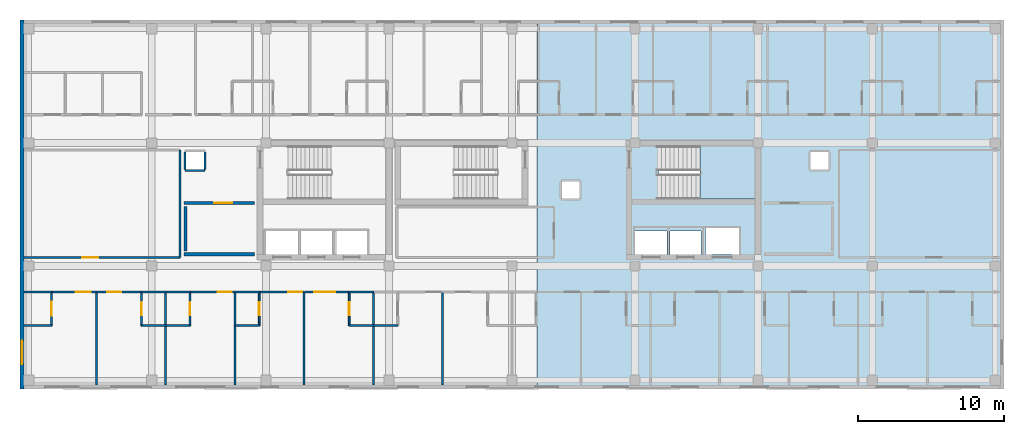
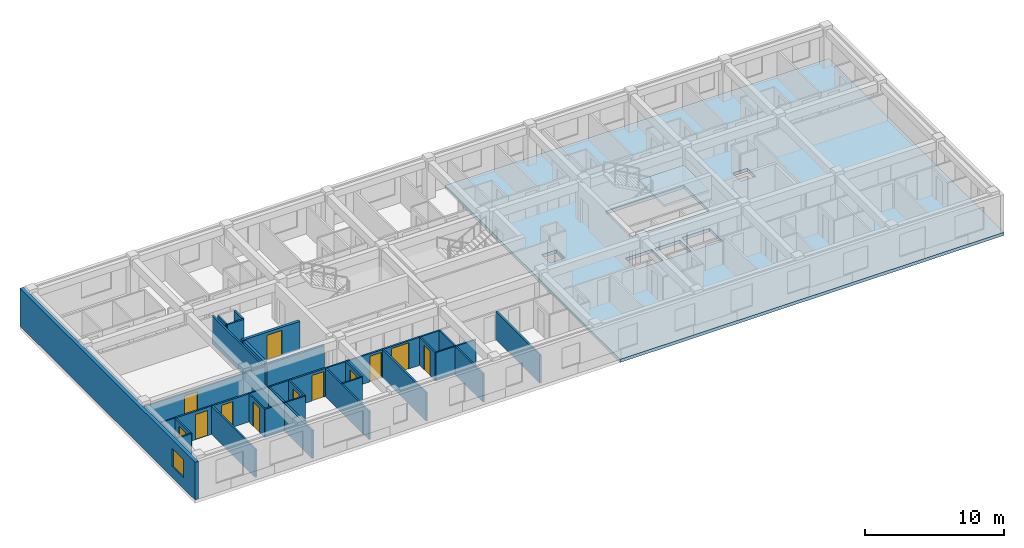
# One storey, part 2 of 11: 36 walls, 12 doors, 2 slabs, 1 window, 13 openings, 1 element without a shape of its own.
"""IFC4 building model written with IfcOpenShell, lengths in metres."""

from ifc_helpers import new_model, si_unit, direction, frame, frame_2d, origin, place, context, subcontext, project, spatial, polyline, rectangle, outline, extrude, material, layer, layer_set, type_object, element, fill, aggregate, save


model = new_model("IFC4")

# Units and contexts
model_context = context("Model", 3, precision=1e-05, world=origin(), true_north=direction((0.0, 1.0)))
body_context = subcontext(model_context, "Body", "Model", "MODEL_VIEW")
ifc_project = project(units=[si_unit("LENGTHUNIT", "METRE"), si_unit("AREAUNIT", "SQUARE_METRE"), si_unit("VOLUMEUNIT", "CUBIC_METRE"), si_unit("PLANEANGLEUNIT", "RADIAN"), si_unit("MASSUNIT", "GRAM", prefix="KILO")], contexts=[model_context])

# Site, building, storey
site_placement = place(None, origin())
site = spatial("IfcSite", under=ifc_project, at=site_placement, CompositionType="ELEMENT")
building_placement = place(site_placement, origin())
building = spatial("IfcBuilding", under=site, at=building_placement, Name="Zayran Congress Hotel", CompositionType="ELEMENT")
storey_placement = place(building_placement, frame((0.0, 0.0, 26.39990234375)))
storey = spatial("IfcBuildingStorey", under=building, at=storey_placement, Name="L06", CompositionType="ELEMENT", Elevation=26.39990234375)

# Slab
ifc_material_1 = material(Name="Concrete C32/40", Category="concrete")
ifc_layer_1 = layer(ifc_material_1, 0.280029296875)
ifc_layer_set_1 = layer_set([ifc_layer_1], Name="Concrete C32/40")
slab_type_1 = type_object("IfcSlabType", Name="SL-FL-280", PredefinedType="FLOOR", material=ifc_layer_set_1)
slab_1_placement = place(storey_placement, frame((0.0, 0.0, -0.27978515625)))
element("IfcSlab", 1, at=slab_1_placement, inside=storey, type_object=slab_type_1, Name="SLB-V5-L06-044", PredefinedType="FLOOR", context=body_context, shape_type="SweptSolid", body=[
    extrude(outline(polyline([(43.699951171875, 8.800048828125), (75.60009765625, 8.800048828125), (75.60009765625, 34.0), (43.699951171875, 34.0), (43.699951171875, 8.800048828125)]), holes=[polyline([(52.0400390625, 21.760009765625), (58.60009765625, 21.760009765625), (58.60009765625, 25.39990234375), (52.0400390625, 25.39990234375), (52.0400390625, 21.760009765625)]), polyline([(50.39990234375, 18.0), (52.60009765625, 18.0), (52.60009765625, 19.60009765625), (50.39990234375, 19.60009765625), (50.39990234375, 18.0)]), polyline([(52.800048828125, 18.0), (54.89990234375, 18.0), (54.89990234375, 19.60009765625), (52.800048828125, 19.60009765625), (52.800048828125, 18.0)]), polyline([(55.199951171875, 18.0), (57.5, 18.0), (57.5, 19.800048828125), (55.199951171875, 19.800048828125), (55.199951171875, 18.0)]), polyline([(45.39990234375, 21.800048828125), (46.6201171875, 21.800048828125), (46.6201171875, 22.97998046875), (45.39990234375, 22.97998046875), (45.39990234375, 21.800048828125)]), polyline([(62.39990234375, 23.800048828125), (63.6201171875, 23.800048828125), (63.6201171875, 24.97998046875), (62.39990234375, 24.97998046875), (62.39990234375, 23.800048828125)])]), origin(), (0.0, 0.0, 1.0), 0.27978515625),
])

# Stair, slab
stair_type = type_object("IfcStairType", Name="TP-STR-1700-36", PredefinedType="USERDEFINED", material=ifc_material_1)
stair_placement = place(storey_placement, origin())
stair = element("IfcStair", 2, at=stair_placement, inside=storey, type_object=stair_type, Name="L06 ST-02", ObjectType="TWO_RETURN_STAIR", PredefinedType="USERDEFINED")
ifc_layer_2 = layer(ifc_material_1, 0.199951171875)
ifc_layer_set_2 = layer_set([ifc_layer_2], Name="Concrete C32/40")
slab_type_2 = type_object("IfcSlabType", Name="TP-LND-1700", PredefinedType="LANDING", material=ifc_layer_set_2)
slab_2_placement = place(storey_placement, frame((0.0, 0.0, 1.60009765625)))
slab_2 = element("IfcSlab", 3, at=slab_2_placement, type_object=slab_type_2, Name="ST-02 landing 1", PredefinedType="LANDING", context=body_context, shape_type="SweptSolid", body=[
    extrude(outline(polyline([(54.85009765625, 21.760009765625), (58.60009765625, 21.760009765625), (58.60009765625, 25.39990234375), (54.85009765625, 25.39990234375), (54.85009765625, 21.760009765625)])), origin(), (0.0, 0.0, 1.0), 0.199951171875),
])
aggregate(stair, [slab_2])

# Wall, opening, window
ifc_material_2 = material(Name="Hajar Ma'ani limestone cavity wall and concrete C32/40", Category="masonry")
ifc_layer_3 = layer(ifc_material_2, 0.280029296875)
ifc_layer_set_3 = layer_set([ifc_layer_3], Name="Hajar Ma'ani limestone cavity wall and concrete C32/40")
wall_type_1 = type_object("IfcWallType", Name="WL-EX-280", PredefinedType="SOLIDWALL", material=ifc_layer_set_3)
wall_1_placement = place(storey_placement, frame((8.5400390625, 8.800048828125, 0.0), z_axis=(0.0, 0.0, 1.0), x_axis=(0.0, 1.0, 0.0)))
wall_1 = element("IfcWall", 4, at=wall_1_placement, inside=storey, type_object=wall_type_1, Name="EW-V5-W-L06", PredefinedType="SOLIDWALL", context=body_context, shape_type="SweptSolid", body=[
    extrude(rectangle(XDim=25.199951171875, YDim=0.280029296875, at=frame_2d((12.60009765625, 0.0))), origin(), (0.0, 0.0, 1.0), 3.320068359375),
])
opening_1_placement = place(wall_1_placement, frame((1.699951171875, 0.0, 0.949951171875)))
opening_1 = element("IfcOpeningElement", 5, at=opening_1_placement, cuts=wall_1, Name="Opening WN-15", PredefinedType="OPENING", context=body_context, shape_type="SweptSolid", body=[
    extrude(rectangle(XDim=1.60009765625, YDim=1.60009765625, at=frame_2d((0.800048828125, 0.800048828125))), frame((0.0, 0.14990234375, 0.0), z_axis=(0.0, -1.0, 0.0), x_axis=(1.0, 0.0, 0.0)), (0.0, 0.0, 1.0), 0.300048828125),
])
ifc_material_3 = material(Name="Anodised aluminium and low-E insulated glass", Category="aluminium")
window_type = type_object("IfcWindowType", Name="TP-WN-15", PartitioningType="SINGLE_PANEL", PredefinedType="WINDOW", material=ifc_material_3)
window_placement = place(opening_1_placement, origin())
window = element("IfcWindow", 6, at=window_placement, inside=storey, type_object=window_type, Name="WIN-V5W-L06", OverallHeight=1.60009765625, OverallWidth=1.60009765625, PartitioningType="SINGLE_PANEL", PredefinedType="WINDOW", context=body_context, shape_type="SweptSolid", body=[
    extrude(rectangle(XDim=1.60009765625, YDim=1.60009765625, at=frame_2d((0.800048828125, 0.800048828125))), frame((0.0, 0.030029296875, 0.0), z_axis=(0.0, -1.0, 0.0), x_axis=(1.0, 0.0, 0.0)), (0.0, 0.0, 1.0), 0.06005859375),
])
fill(opening_1, window)

# Wall
ifc_material_4 = material(Name="Concrete C32/40 fire wall", Category="concrete")
ifc_layer_4 = layer(ifc_material_4, 0.219970703125)
ifc_layer_set_4 = layer_set([ifc_layer_4], Name="Concrete C32/40 fire wall")
wall_type_2 = type_object("IfcWallType", Name="WL-FF-220", PredefinedType="SOLIDWALL", material=ifc_layer_set_4)
wall_2_placement = place(storey_placement, frame((19.60009765625, 18.0, 0.0), z_axis=(0.0, 0.0, 1.0), x_axis=(1.0, 0.0, 0.0)))
element("IfcWall", 7, at=wall_2_placement, inside=storey, type_object=wall_type_2, Name="FFWL-C-V5W-L06-S", PredefinedType="SOLIDWALL", context=body_context, shape_type="SweptSolid", body=[
    extrude(rectangle(XDim=4.7998046875, YDim=0.219970703125, at=frame_2d((2.39990234375, 0.0))), origin(), (0.0, 0.0, 1.0), 2.47021484375),
])

# Wall, opening, door
wall_3_placement = place(storey_placement, frame((19.60009765625, 21.5, 0.0), z_axis=(0.0, 0.0, 1.0), x_axis=(1.0, 0.0, 0.0)))
wall_3 = element("IfcWall", 8, at=wall_3_placement, inside=storey, type_object=wall_type_2, Name="FFWL-C-V5W-L06-N", PredefinedType="SOLIDWALL", context=body_context, shape_type="SweptSolid", body=[
    extrude(rectangle(XDim=4.7998046875, YDim=0.219970703125, at=frame_2d((2.39990234375, 0.0))), origin(), (0.0, 0.0, 1.0), 2.47021484375),
])
opening_2_placement = place(wall_3_placement, frame((2.050048828125, 0.0, 0.0)))
opening_2 = element("IfcOpeningElement", 9, at=opening_2_placement, cuts=wall_3, Name="Opening DR-FF-60", PredefinedType="OPENING", context=body_context, shape_type="SweptSolid", body=[
    extrude(rectangle(XDim=1.25, YDim=2.199951171875, at=frame_2d((0.625, 1.10009765625))), frame((0.0, 0.119873046875, 0.0), z_axis=(0.0, -1.0, 0.0), x_axis=(1.0, 0.0, 0.0)), (0.0, 0.0, 1.0), 0.239990234375),
])
ifc_material_5 = material(Name="Painted steel smoke-seal fire door", Category="steel")
door_type_1 = type_object("IfcDoorType", Name="TP-DR-FF-60", OperationType="NOTDEFINED", PredefinedType="DOOR", material=ifc_material_5)
door_1_placement = place(opening_2_placement, origin())
door_1 = element("IfcDoor", 10, at=door_1_placement, inside=storey, type_object=door_type_1, Name="Firefighting Lift Lobby Door C-V5W L06", OperationType="SINGLE_SWING_RIGHT", OverallHeight=2.199951171875, OverallWidth=1.25, PredefinedType="DOOR", context=body_context, shape_type="SweptSolid", body=[
    extrude(rectangle(XDim=1.25, YDim=2.199951171875, at=frame_2d((0.625, 1.10009765625))), frame((0.0, 0.02490234375, 0.0), z_axis=(0.0, -1.0, 0.0), x_axis=(1.0, 0.0, 0.0)), (0.0, 0.0, 1.0), 0.050048828125),
])
fill(opening_2, door_1)

# Wall
wall_4_placement = place(storey_placement, frame((19.7099609375, 18.219970703125, 0.0), z_axis=(0.0, 0.0, 1.0), x_axis=(0.0, 1.0, 0.0)))
element("IfcWall", 11, at=wall_4_placement, inside=storey, type_object=wall_type_2, Name="FFWL-C-V5W-L06-SD", PredefinedType="SOLIDWALL", context=body_context, shape_type="SweptSolid", body=[
    extrude(rectangle(XDim=3.06005859375, YDim=0.219970703125, at=frame_2d((1.530029296875, 0.0))), origin(), (0.0, 0.0, 1.0), 2.47021484375),
])

# Wall, opening, door
ifc_material_6 = material(Name="Hospitality guestroom acoustic partition", Category="gypsum")
ifc_layer_5 = layer(ifc_material_6, 0.139892578125)
ifc_layer_set_5 = layer_set([ifc_layer_5], Name="Hospitality guestroom acoustic partition")
wall_type_3 = type_object("IfcWallType", Name="WL-PT-140", PredefinedType="PARTITIONING", material=ifc_layer_set_5)
wall_5_placement = place(storey_placement, frame((8.679931640625, 17.780029296875, 0.0), z_axis=(0.0, 0.0, 1.0), x_axis=(1.0, 0.0, 0.0)))
wall_5 = element("IfcWall", 12, at=wall_5_placement, inside=storey, type_object=wall_type_3, Name="IW-L06-0690", PredefinedType="PARTITIONING", context=body_context, shape_type="SweptSolid", body=[
    extrude(rectangle(XDim=10.650146484375, YDim=0.139892578125, at=frame_2d((5.3251953125, 0.0))), origin(), (0.0, 0.0, 1.0), 2.47998046875),
])
opening_3_placement = place(wall_5_placement, frame((3.969970703125, 0.0, 0.0)))
opening_3 = element("IfcOpeningElement", 13, at=opening_3_placement, cuts=wall_5, Name="Opening DR-MT-01", PredefinedType="OPENING", context=body_context, shape_type="SweptSolid", body=[
    extrude(rectangle(XDim=1.080078125, YDim=2.25, at=frame_2d((0.5400390625, 1.125))), frame((0.0, 0.079833984375, 0.0), z_axis=(0.0, -1.0, 0.0), x_axis=(1.0, 0.0, 0.0)), (0.0, 0.0, 1.0), 0.159912109375),
])
ifc_material_7 = material(Name="Acoustic timber seminar room door", Category="wood")
door_type_2 = type_object("IfcDoorType", Name="TP-DR-MT-01", OperationType="NOTDEFINED", PredefinedType="DOOR", material=ifc_material_7)
door_2_placement = place(opening_3_placement, origin())
door_2 = element("IfcDoor", 14, at=door_2_placement, inside=storey, type_object=door_type_2, Name="Delegate Study Salon West L06 Door", OperationType="SINGLE_SWING_RIGHT", OverallHeight=2.25, OverallWidth=1.080078125, PredefinedType="DOOR", context=body_context, shape_type="SweptSolid", body=[
    extrude(rectangle(XDim=1.080078125, YDim=2.25, at=frame_2d((0.5400390625, 1.125))), frame((0.0, 0.02490234375, 0.0), z_axis=(0.0, -1.0, 0.0), x_axis=(1.0, 0.0, 0.0)), (0.0, 0.0, 1.0), 0.050048828125),
])
fill(opening_3, door_2)

wall_6_placement = place(storey_placement, frame((10.55810546875, 15.419921875, 0.0), z_axis=(0.0, 0.0, 1.0), x_axis=(1.0, 0.0, 0.0)))
wall_6 = element("IfcWall", 15, at=wall_6_placement, inside=storey, type_object=wall_type_3, Name="IW-L06-0692", PredefinedType="PARTITIONING", context=body_context, shape_type="SweptSolid", body=[
    extrude(rectangle(XDim=3.060791015625, YDim=0.139892578125, at=frame_2d((1.5302734375, 0.0))), origin(), (0.0, 0.0, 1.0), 2.47998046875),
])
opening_4_placement = place(wall_6_placement, frame((1.64892578125, 0.0, 0.0)))
opening_4 = element("IfcOpeningElement", 16, at=opening_4_placement, cuts=wall_6, Name="Opening DR-GR-02", PredefinedType="OPENING", context=body_context, shape_type="SweptSolid", body=[
    extrude(rectangle(XDim=1.02001953125, YDim=2.199951171875, at=frame_2d((0.510009765625, 1.10009765625))), frame((0.0, 0.079833984375, 0.0), z_axis=(0.0, -1.0, 0.0), x_axis=(1.0, 0.0, 0.0)), (0.0, 0.0, 1.0), 0.159912109375),
])
ifc_material_8 = material(Name="Accessible acoustic walnut veneer entry door", Category="wood")
door_type_3 = type_object("IfcDoorType", Name="TP-DR-GR-02", OperationType="NOTDEFINED", PredefinedType="DOOR", material=ifc_material_8)
door_3_placement = place(opening_4_placement, origin())
door_3 = element("IfcDoor", 17, at=door_3_placement, inside=storey, type_object=door_type_3, Name="Accessible Guest Room L06-01 Door", OperationType="SINGLE_SWING_RIGHT", OverallHeight=2.199951171875, OverallWidth=1.02001953125, PredefinedType="DOOR", context=body_context, shape_type="SweptSolid", body=[
    extrude(rectangle(XDim=1.02001953125, YDim=2.199951171875, at=frame_2d((0.510009765625, 1.10009765625))), frame((0.0, 0.02490234375, 0.0), z_axis=(0.0, -1.0, 0.0), x_axis=(1.0, 0.0, 0.0)), (0.0, 0.0, 1.0), 0.050048828125),
])
fill(opening_4, door_3)

wall_7_placement = place(storey_placement, frame((13.638916015625, 15.419921875, 0.0), z_axis=(0.0, 0.0, 1.0), x_axis=(1.0, 0.0, 0.0)))
wall_7 = element("IfcWall", 18, at=wall_7_placement, inside=storey, type_object=wall_type_3, Name="IW-L06-0693", PredefinedType="PARTITIONING", context=body_context, shape_type="SweptSolid", body=[
    extrude(rectangle(XDim=3.06103515625, YDim=0.139892578125, at=frame_2d((1.530517578125, 0.0))), origin(), (0.0, 0.0, 1.0), 2.47998046875),
])
opening_5_placement = place(wall_7_placement, frame((0.72509765625, 0.0, 0.0)))
opening_5 = element("IfcOpeningElement", 19, at=opening_5_placement, cuts=wall_7, Name="Opening DR-GR-03", PredefinedType="OPENING", context=body_context, shape_type="SweptSolid", body=[
    extrude(rectangle(XDim=0.9599609375, YDim=2.25, at=frame_2d((0.47998046875, 1.125))), frame((0.0, 0.079833984375, 0.0), z_axis=(0.0, -1.0, 0.0), x_axis=(1.0, 0.0, 0.0)), (0.0, 0.0, 1.0), 0.159912109375),
])
ifc_material_9 = material(Name="Executive walnut veneer entry door", Category="wood")
door_type_4 = type_object("IfcDoorType", Name="TP-DR-GR-03", OperationType="NOTDEFINED", PredefinedType="DOOR", material=ifc_material_9)
door_4_placement = place(opening_5_placement, origin())
door_4 = element("IfcDoor", 20, at=door_4_placement, inside=storey, type_object=door_type_4, Name="Guest Room L06-02 Door", OperationType="SINGLE_SWING_LEFT", OverallHeight=2.25, OverallWidth=0.9599609375, PredefinedType="DOOR", context=body_context, shape_type="SweptSolid", body=[
    extrude(rectangle(XDim=0.9599609375, YDim=2.25, at=frame_2d((0.47998046875, 1.125))), frame((0.0, 0.02490234375, 0.0), z_axis=(0.0, -1.0, 0.0), x_axis=(1.0, 0.0, 0.0)), (0.0, 0.0, 1.0), 0.050048828125),
])
fill(opening_5, door_4)

wall_8_placement = place(storey_placement, frame((20.014892578125, 15.419921875, 0.0), z_axis=(0.0, 0.0, 1.0), x_axis=(1.0, 0.0, 0.0)))
wall_8 = element("IfcWall", 21, at=wall_8_placement, inside=storey, type_object=wall_type_3, Name="IW-L06-0694", PredefinedType="PARTITIONING", context=body_context, shape_type="SweptSolid", body=[
    extrude(rectangle(XDim=3.06103515625, YDim=0.139892578125, at=frame_2d((1.530517578125, 0.0))), origin(), (0.0, 0.0, 1.0), 2.47998046875),
])
opening_6_placement = place(wall_8_placement, frame((1.89599609375, 0.0, 0.0)))
opening_6 = element("IfcOpeningElement", 22, at=opening_6_placement, cuts=wall_8, Name="Opening DR-GR-03", PredefinedType="OPENING", context=body_context, shape_type="SweptSolid", body=[
    extrude(rectangle(XDim=0.9599609375, YDim=2.25, at=frame_2d((0.47998046875, 1.125))), frame((0.0, 0.079833984375, 0.0), z_axis=(0.0, -1.0, 0.0), x_axis=(1.0, 0.0, 0.0)), (0.0, 0.0, 1.0), 0.159912109375),
])
door_5_placement = place(opening_6_placement, origin())
door_5 = element("IfcDoor", 23, at=door_5_placement, inside=storey, type_object=door_type_4, Name="Guest Room L06-03 Door", OperationType="SINGLE_SWING_RIGHT", OverallHeight=2.25, OverallWidth=0.9599609375, PredefinedType="DOOR", context=body_context, shape_type="SweptSolid", body=[
    extrude(rectangle(XDim=0.9599609375, YDim=2.25, at=frame_2d((0.47998046875, 1.125))), frame((0.0, 0.02490234375, 0.0), z_axis=(0.0, -1.0, 0.0), x_axis=(1.0, 0.0, 0.0)), (0.0, 0.0, 1.0), 0.050048828125),
])
fill(opening_6, door_5)

wall_9_placement = place(storey_placement, frame((24.742919921875, 15.419921875, 0.0), z_axis=(0.0, 0.0, 1.0), x_axis=(1.0, 0.0, 0.0)))
wall_9 = element("IfcWall", 24, at=wall_9_placement, inside=storey, type_object=wall_type_3, Name="IW-L06-0695", PredefinedType="PARTITIONING", context=body_context, shape_type="SweptSolid", body=[
    extrude(rectangle(XDim=3.06103515625, YDim=0.139892578125, at=frame_2d((1.530517578125, 0.0))), origin(), (0.0, 0.0, 1.0), 2.47998046875),
])
opening_7_placement = place(wall_9_placement, frame((1.9609375, 0.0, 0.0)))
opening_7 = element("IfcOpeningElement", 25, at=opening_7_placement, cuts=wall_9, Name="Opening DR-GR-03", PredefinedType="OPENING", context=body_context, shape_type="SweptSolid", body=[
    extrude(rectangle(XDim=0.9599609375, YDim=2.25, at=frame_2d((0.47998046875, 1.125))), frame((0.0, 0.079833984375, 0.0), z_axis=(0.0, -1.0, 0.0), x_axis=(1.0, 0.0, 0.0)), (0.0, 0.0, 1.0), 0.159912109375),
])
door_6_placement = place(opening_7_placement, origin())
door_6 = element("IfcDoor", 26, at=door_6_placement, inside=storey, type_object=door_type_4, Name="Guest Room L06-04 Door", OperationType="SINGLE_SWING_LEFT", OverallHeight=2.25, OverallWidth=0.9599609375, PredefinedType="DOOR", context=body_context, shape_type="SweptSolid", body=[
    extrude(rectangle(XDim=0.9599609375, YDim=2.25, at=frame_2d((0.47998046875, 1.125))), frame((0.0, 0.02490234375, 0.0), z_axis=(0.0, -1.0, 0.0), x_axis=(1.0, 0.0, 0.0)), (0.0, 0.0, 1.0), 0.050048828125),
])
fill(opening_7, door_6)

wall_10_placement = place(storey_placement, frame((27.823974609375, 15.419921875, 0.0), z_axis=(0.0, 0.0, 1.0), x_axis=(1.0, 0.0, 0.0)))
wall_10 = element("IfcWall", 27, at=wall_10_placement, inside=storey, type_object=wall_type_3, Name="IW-L06-0696", PredefinedType="PARTITIONING", context=body_context, shape_type="SweptSolid", body=[
    extrude(rectangle(XDim=3.06103515625, YDim=0.139892578125, at=frame_2d((1.530517578125, 0.0))), origin(), (0.0, 0.0, 1.0), 2.47998046875),
])
opening_8_placement = place(wall_10_placement, frame((0.6630859375, 0.0, 0.0)))
opening_8 = element("IfcOpeningElement", 28, at=opening_8_placement, cuts=wall_10, Name="Opening DR-ST-01", PredefinedType="OPENING", context=body_context, shape_type="SweptSolid", body=[
    extrude(rectangle(XDim=1.449951171875, YDim=2.300048828125, at=frame_2d((0.72509765625, 1.14990234375))), frame((0.0, 0.079833984375, 0.0), z_axis=(0.0, -1.0, 0.0), x_axis=(1.0, 0.0, 0.0)), (0.0, 0.0, 1.0), 0.159912109375),
])
ifc_material_10 = material(Name="Double walnut veneer suite entry door", Category="wood")
door_type_5 = type_object("IfcDoorType", Name="TP-DR-ST-01", OperationType="DOUBLE_DOOR_SINGLE_SWING", PredefinedType="DOOR", material=ifc_material_10)
door_7_placement = place(opening_8_placement, origin())
door_7 = element("IfcDoor", 29, at=door_7_placement, inside=storey, type_object=door_type_5, Name="Junior Suite L06-05 Door", OperationType="DOUBLE_DOOR_SINGLE_SWING", OverallHeight=2.300048828125, OverallWidth=1.449951171875, PredefinedType="DOOR", context=body_context, shape_type="SweptSolid", body=[
    extrude(rectangle(XDim=1.449951171875, YDim=2.300048828125, at=frame_2d((0.72509765625, 1.14990234375))), frame((0.0, 0.02490234375, 0.0), z_axis=(0.0, -1.0, 0.0), x_axis=(1.0, 0.0, 0.0)), (0.0, 0.0, 1.0), 0.050048828125),
])
fill(opening_8, door_7)

# Walls
wall_11_placement = place(storey_placement, frame((19.320068359375, 17.77001953125, 0.0), z_axis=(0.0, 0.0, 1.0), x_axis=(0.0, 1.0, 0.0)))
element("IfcWall", 30, at=wall_11_placement, inside=storey, type_object=wall_type_3, Name="IW-L06-2020", PredefinedType="PARTITIONING", context=body_context, shape_type="SweptSolid", body=[
    extrude(rectangle(XDim=7.35986328125, YDim=0.139892578125, at=frame_2d((3.679931640625, 0.0))), origin(), (0.0, 0.0, 1.0), 2.47998046875),
])
for number, where, z_axis, x_axis, name in (
    (31, (13.618896484375, 9.080078125, 0.0), (0.0, 0.0, 1.0), (0.0, 1.0, 0.0), "IW-L06-2023"),
    (32, (18.346923828125, 9.080078125, 0.0), (0.0, 0.0, 1.0), (0.0, 1.0, 0.0), "IW-L06-2024"),
    (33, (23.075927734375, 9.080078125, 0.0), (0.0, 0.0, 1.0), (0.0, 1.0, 0.0), "IW-L06-2025"),
    (34, (27.803955078125, 9.080078125, 0.0), (0.0, 0.0, 1.0), (0.0, 1.0, 0.0), "IW-L06-2026"),
    (35, (32.532958984375, 9.080078125, 0.0), (0.0, 0.0, 1.0), (0.0, 1.0, 0.0), "IW-L06-2027"),
    (36, (37.260986328125, 9.080078125, 0.0), (0.0, 0.0, 1.0), (0.0, 1.0, 0.0), "IW-L06-2028"),
):
    element("IfcWall", number, at=place(storey_placement, frame(where, z_axis=z_axis, x_axis=x_axis)), inside=storey, type_object=wall_type_3, Name=name, PredefinedType="PARTITIONING", context=body_context, shape_type="SweptSolid", body=[
        extrude(rectangle(XDim=6.349853515625, YDim=0.139892578125, at=frame_2d((3.1748046875, 0.0))), origin(), (0.0, 0.0, 1.0), 2.47998046875),
    ])
wall_12_placement = place(storey_placement, frame((19.669921875, 23.72998046875, 0.0), z_axis=(0.0, 0.0, 1.0), x_axis=(1.0, 0.0, 0.0)))
element("IfcWall", 37, at=wall_12_placement, inside=storey, type_object=wall_type_3, Name="RSWL-V5-L06-041-S", PredefinedType="PARTITIONING", context=body_context, shape_type="SweptSolid", body=[
    extrude(rectangle(XDim=1.360107421875, YDim=0.139892578125, at=frame_2d((0.68017578125, 0.0))), origin(), (0.0, 0.0, 1.0), 2.440185546875),
])
for number, where, z_axis, x_axis, name in (
    (38, (19.669921875, 24.97998046875, 0.0), (0.0, 0.0, 1.0), (0.0, -1.0, 0.0), "RSWL-V5-L06-041-W"),
    (39, (21.030029296875, 23.800048828125, 0.0), (0.0, 0.0, 1.0), (0.0, 1.0, 0.0), "RSWL-V5-L06-041-E"),
):
    element("IfcWall", number, at=place(storey_placement, frame(where, z_axis=z_axis, x_axis=x_axis)), inside=storey, type_object=wall_type_3, Name=name, PredefinedType="PARTITIONING", context=body_context, shape_type="SweptSolid", body=[
        extrude(rectangle(XDim=1.179931640625, YDim=0.139892578125, at=frame_2d((0.58984375, 0.0))), origin(), (0.0, 0.0, 1.0), 2.440185546875),
    ])

# Wall, opening, door
ifc_material_11 = material(Name="Moisture-resistant bathroom partition", Category="gypsum")
ifc_layer_6 = layer(ifc_material_11, 0.1201171875)
ifc_layer_set_6 = layer_set([ifc_layer_6], Name="Moisture-resistant bathroom partition")
wall_type_4 = type_object("IfcWallType", Name="WL-PT-120", PredefinedType="PARTITIONING", material=ifc_layer_set_6)
wall_13_placement = place(storey_placement, frame((10.55810546875, 13.1201171875, 0.0), z_axis=(0.0, 0.0, 1.0), x_axis=(0.0, 1.0, 0.0)))
wall_13 = element("IfcWall", 40, at=wall_13_placement, inside=storey, type_object=wall_type_4, Name="IW-L06-0191", PredefinedType="PARTITIONING", context=body_context, shape_type="SweptSolid", body=[
    extrude(rectangle(XDim=2.309814453125, YDim=0.1201171875, at=frame_2d((1.15478515625, 0.0))), origin(), (0.0, 0.0, 1.0), 2.47998046875),
])
opening_9_placement = place(wall_13_placement, frame((0.675048828125, 0.0, 0.0)))
opening_9 = element("IfcOpeningElement", 41, at=opening_9_placement, cuts=wall_13, Name="Opening DR-BT-02", PredefinedType="OPENING", context=body_context, shape_type="SweptSolid", body=[
    extrude(rectangle(XDim=0.9599609375, YDim=2.14990234375, at=frame_2d((0.47998046875, 1.074951171875))), frame((0.0, 0.070068359375, 0.0), z_axis=(0.0, -1.0, 0.0), x_axis=(1.0, 0.0, 0.0)), (0.0, 0.0, 1.0), 0.14013671875),
])
ifc_material_12 = material(Name="Accessible en-suite bathroom door", Category="steel")
door_type_6 = type_object("IfcDoorType", Name="TP-DR-BT-02", OperationType="NOTDEFINED", PredefinedType="DOOR", material=ifc_material_12)
door_8_placement = place(opening_9_placement, origin())
door_8 = element("IfcDoor", 42, at=door_8_placement, inside=storey, type_object=door_type_6, Name="En-Suite Bathroom L06-01 Door", OperationType="SINGLE_SWING_RIGHT", OverallHeight=2.14990234375, OverallWidth=0.9599609375, PredefinedType="DOOR", context=body_context, shape_type="SweptSolid", body=[
    extrude(rectangle(XDim=0.9599609375, YDim=2.14990234375, at=frame_2d((0.47998046875, 1.074951171875))), frame((0.0, 0.02490234375, 0.0), z_axis=(0.0, -1.0, 0.0), x_axis=(1.0, 0.0, 0.0)), (0.0, 0.0, 1.0), 0.050048828125),
])
fill(opening_9, door_8)

wall_14_placement = place(storey_placement, frame((16.699951171875, 13.1201171875, 0.0), z_axis=(0.0, 0.0, 1.0), x_axis=(0.0, 1.0, 0.0)))
wall_14 = element("IfcWall", 43, at=wall_14_placement, inside=storey, type_object=wall_type_4, Name="IW-L06-0192", PredefinedType="PARTITIONING", context=body_context, shape_type="SweptSolid", body=[
    extrude(rectangle(XDim=2.309814453125, YDim=0.1201171875, at=frame_2d((1.15478515625, 0.0))), origin(), (0.0, 0.0, 1.0), 2.47998046875),
])
opening_10_placement = place(wall_14_placement, frame((0.715087890625, 0.0, 0.0)))
opening_10 = element("IfcOpeningElement", 44, at=opening_10_placement, cuts=wall_14, Name="Opening DR-BT-01", PredefinedType="OPENING", context=body_context, shape_type="SweptSolid", body=[
    extrude(rectangle(XDim=0.8798828125, YDim=2.14990234375, at=frame_2d((0.43994140625, 1.074951171875))), frame((0.0, 0.070068359375, 0.0), z_axis=(0.0, -1.0, 0.0), x_axis=(1.0, 0.0, 0.0)), (0.0, 0.0, 1.0), 0.14013671875),
])
ifc_material_13 = material(Name="Moisture-resistant oak en-suite door", Category="wood")
door_type_7 = type_object("IfcDoorType", Name="TP-DR-BT-01", OperationType="NOTDEFINED", PredefinedType="DOOR", material=ifc_material_13)
door_9_placement = place(opening_10_placement, origin())
door_9 = element("IfcDoor", 45, at=door_9_placement, inside=storey, type_object=door_type_7, Name="En-Suite Bathroom L06-02 Door", OperationType="SINGLE_SWING_LEFT", OverallHeight=2.14990234375, OverallWidth=0.8798828125, PredefinedType="DOOR", context=body_context, shape_type="SweptSolid", body=[
    extrude(rectangle(XDim=0.8798828125, YDim=2.14990234375, at=frame_2d((0.43994140625, 1.074951171875))), frame((0.0, 0.02490234375, 0.0), z_axis=(0.0, -1.0, 0.0), x_axis=(1.0, 0.0, 0.0)), (0.0, 0.0, 1.0), 0.050048828125),
])
fill(opening_10, door_9)

wall_15_placement = place(storey_placement, frame((20.014892578125, 13.1201171875, 0.0), z_axis=(0.0, 0.0, 1.0), x_axis=(0.0, 1.0, 0.0)))
wall_15 = element("IfcWall", 46, at=wall_15_placement, inside=storey, type_object=wall_type_4, Name="IW-L06-0193", PredefinedType="PARTITIONING", context=body_context, shape_type="SweptSolid", body=[
    extrude(rectangle(XDim=2.309814453125, YDim=0.1201171875, at=frame_2d((1.15478515625, 0.0))), origin(), (0.0, 0.0, 1.0), 2.47998046875),
])
opening_11_placement = place(wall_15_placement, frame((0.715087890625, 0.0, 0.0)))
opening_11 = element("IfcOpeningElement", 47, at=opening_11_placement, cuts=wall_15, Name="Opening DR-BT-01", PredefinedType="OPENING", context=body_context, shape_type="SweptSolid", body=[
    extrude(rectangle(XDim=0.8798828125, YDim=2.14990234375, at=frame_2d((0.43994140625, 1.074951171875))), frame((0.0, 0.070068359375, 0.0), z_axis=(0.0, -1.0, 0.0), x_axis=(1.0, 0.0, 0.0)), (0.0, 0.0, 1.0), 0.14013671875),
])
door_10_placement = place(opening_11_placement, origin())
door_10 = element("IfcDoor", 48, at=door_10_placement, inside=storey, type_object=door_type_7, Name="En-Suite Bathroom L06-03 Door", OperationType="SINGLE_SWING_RIGHT", OverallHeight=2.14990234375, OverallWidth=0.8798828125, PredefinedType="DOOR", context=body_context, shape_type="SweptSolid", body=[
    extrude(rectangle(XDim=0.8798828125, YDim=2.14990234375, at=frame_2d((0.43994140625, 1.074951171875))), frame((0.0, 0.02490234375, 0.0), z_axis=(0.0, -1.0, 0.0), x_axis=(1.0, 0.0, 0.0)), (0.0, 0.0, 1.0), 0.050048828125),
])
fill(opening_11, door_10)

wall_16_placement = place(storey_placement, frame((24.742919921875, 13.1201171875, 0.0), z_axis=(0.0, 0.0, 1.0), x_axis=(0.0, 1.0, 0.0)))
wall_16 = element("IfcWall", 49, at=wall_16_placement, inside=storey, type_object=wall_type_4, Name="IW-L06-0194", PredefinedType="PARTITIONING", context=body_context, shape_type="SweptSolid", body=[
    extrude(rectangle(XDim=2.309814453125, YDim=0.1201171875, at=frame_2d((1.15478515625, 0.0))), origin(), (0.0, 0.0, 1.0), 2.47998046875),
])
opening_12_placement = place(wall_16_placement, frame((0.715087890625, 0.0, 0.0)))
opening_12 = element("IfcOpeningElement", 50, at=opening_12_placement, cuts=wall_16, Name="Opening DR-BT-01", PredefinedType="OPENING", context=body_context, shape_type="SweptSolid", body=[
    extrude(rectangle(XDim=0.8798828125, YDim=2.14990234375, at=frame_2d((0.43994140625, 1.074951171875))), frame((0.0, 0.070068359375, 0.0), z_axis=(0.0, -1.0, 0.0), x_axis=(1.0, 0.0, 0.0)), (0.0, 0.0, 1.0), 0.14013671875),
])
door_11_placement = place(opening_12_placement, origin())
door_11 = element("IfcDoor", 51, at=door_11_placement, inside=storey, type_object=door_type_7, Name="En-Suite Bathroom L06-04 Door", OperationType="SINGLE_SWING_LEFT", OverallHeight=2.14990234375, OverallWidth=0.8798828125, PredefinedType="DOOR", context=body_context, shape_type="SweptSolid", body=[
    extrude(rectangle(XDim=0.8798828125, YDim=2.14990234375, at=frame_2d((0.43994140625, 1.074951171875))), frame((0.0, 0.02490234375, 0.0), z_axis=(0.0, -1.0, 0.0), x_axis=(1.0, 0.0, 0.0)), (0.0, 0.0, 1.0), 0.050048828125),
])
fill(opening_12, door_11)

wall_17_placement = place(storey_placement, frame((30.885009765625, 13.1201171875, 0.0), z_axis=(0.0, 0.0, 1.0), x_axis=(0.0, 1.0, 0.0)))
wall_17 = element("IfcWall", 52, at=wall_17_placement, inside=storey, type_object=wall_type_4, Name="IW-L06-0195", PredefinedType="PARTITIONING", context=body_context, shape_type="SweptSolid", body=[
    extrude(rectangle(XDim=2.309814453125, YDim=0.1201171875, at=frame_2d((1.15478515625, 0.0))), origin(), (0.0, 0.0, 1.0), 2.47998046875),
])
opening_13_placement = place(wall_17_placement, frame((0.715087890625, 0.0, 0.0)))
opening_13 = element("IfcOpeningElement", 53, at=opening_13_placement, cuts=wall_17, Name="Opening DR-BT-01", PredefinedType="OPENING", context=body_context, shape_type="SweptSolid", body=[
    extrude(rectangle(XDim=0.8798828125, YDim=2.14990234375, at=frame_2d((0.43994140625, 1.074951171875))), frame((0.0, 0.070068359375, 0.0), z_axis=(0.0, -1.0, 0.0), x_axis=(1.0, 0.0, 0.0)), (0.0, 0.0, 1.0), 0.14013671875),
])
door_12_placement = place(opening_13_placement, origin())
door_12 = element("IfcDoor", 54, at=door_12_placement, inside=storey, type_object=door_type_7, Name="En-Suite Bathroom L06-05 Door", OperationType="SINGLE_SWING_RIGHT", OverallHeight=2.14990234375, OverallWidth=0.8798828125, PredefinedType="DOOR", context=body_context, shape_type="SweptSolid", body=[
    extrude(rectangle(XDim=0.8798828125, YDim=2.14990234375, at=frame_2d((0.43994140625, 1.074951171875))), frame((0.0, 0.02490234375, 0.0), z_axis=(0.0, -1.0, 0.0), x_axis=(1.0, 0.0, 0.0)), (0.0, 0.0, 1.0), 0.050048828125),
])
fill(opening_13, door_12)

# Walls
for number, where, z_axis, x_axis, name in (
    (55, (8.679931640625, 13.1298828125, 0.0), (0.0, 0.0, 1.0), (1.0, 0.0, 0.0), "IW-L06-1249"),
    (56, (8.679931640625, 15.419921875, 0.0), (0.0, 0.0, 1.0), (1.0, 0.0, 0.0), "IW-L06-1250"),
):
    element("IfcWall", number, at=place(storey_placement, frame(where, z_axis=z_axis, x_axis=x_axis)), inside=storey, type_object=wall_type_4, Name=name, PredefinedType="PARTITIONING", context=body_context, shape_type="SweptSolid", body=[
        extrude(rectangle(XDim=1.88818359375, YDim=0.1201171875, at=frame_2d((0.944091796875, 0.0))), origin(), (0.0, 0.0, 1.0), 2.47998046875),
    ])
for number, where, z_axis, x_axis, name in (
    (57, (16.68994140625, 13.1298828125, 0.0), (0.0, 0.0, 1.0), (1.0, 0.0, 0.0), "IW-L06-1251"),
    (58, (16.68994140625, 15.419921875, 0.0), (0.0, 0.0, 1.0), (1.0, 0.0, 0.0), "IW-L06-1252"),
):
    element("IfcWall", number, at=place(storey_placement, frame(where, z_axis=z_axis, x_axis=x_axis)), inside=storey, type_object=wall_type_4, Name=name, PredefinedType="PARTITIONING", context=body_context, shape_type="SweptSolid", body=[
        extrude(rectangle(XDim=1.6669921875, YDim=0.1201171875, at=frame_2d((0.83349609375, 0.0))), origin(), (0.0, 0.0, 1.0), 2.47998046875),
    ])
for number, where, z_axis, x_axis, name in (
    (59, (18.35693359375, 13.1298828125, 0.0), (0.0, 0.0, 1.0), (1.0, 0.0, 0.0), "IW-L06-1253"),
    (60, (18.35693359375, 15.419921875, 0.0), (0.0, 0.0, 1.0), (1.0, 0.0, 0.0), "IW-L06-1254"),
):
    element("IfcWall", number, at=place(storey_placement, frame(where, z_axis=z_axis, x_axis=x_axis)), inside=storey, type_object=wall_type_4, Name=name, PredefinedType="PARTITIONING", context=body_context, shape_type="SweptSolid", body=[
        extrude(rectangle(XDim=1.66796875, YDim=0.1201171875, at=frame_2d((0.833984375, 0.0))), origin(), (0.0, 0.0, 1.0), 2.47998046875),
    ])
for number, where, z_axis, x_axis, name in (
    (61, (23.0859375, 13.1298828125, 0.0), (0.0, 0.0, 1.0), (1.0, 0.0, 0.0), "IW-L06-1255"),
    (62, (23.0859375, 15.419921875, 0.0), (0.0, 0.0, 1.0), (1.0, 0.0, 0.0), "IW-L06-1256"),
):
    element("IfcWall", number, at=place(storey_placement, frame(where, z_axis=z_axis, x_axis=x_axis)), inside=storey, type_object=wall_type_4, Name=name, PredefinedType="PARTITIONING", context=body_context, shape_type="SweptSolid", body=[
        extrude(rectangle(XDim=1.6669921875, YDim=0.1201171875, at=frame_2d((0.83349609375, 0.0))), origin(), (0.0, 0.0, 1.0), 2.47998046875),
    ])
for number, where, z_axis, x_axis, name in (
    (63, (30.875, 13.1298828125, 0.0), (0.0, 0.0, 1.0), (1.0, 0.0, 0.0), "IW-L06-1257"),
    (64, (30.875, 15.419921875, 0.0), (0.0, 0.0, 1.0), (1.0, 0.0, 0.0), "IW-L06-1258"),
):
    element("IfcWall", number, at=place(storey_placement, frame(where, z_axis=z_axis, x_axis=x_axis)), inside=storey, type_object=wall_type_4, Name=name, PredefinedType="PARTITIONING", context=body_context, shape_type="SweptSolid", body=[
        extrude(rectangle(XDim=1.66796875, YDim=0.1201171875, at=frame_2d((0.833984375, 0.0))), origin(), (0.0, 0.0, 1.0), 2.47998046875),
    ])
wall_18_placement = place(storey_placement, frame((32.54296875, 13.1298828125, 0.0), z_axis=(0.0, 0.0, 1.0), x_axis=(1.0, 0.0, 0.0)))
element("IfcWall", 65, at=wall_18_placement, inside=storey, type_object=wall_type_4, Name="IW-L06-1259", PredefinedType="PARTITIONING", context=body_context, shape_type="SweptSolid", body=[
    extrude(rectangle(XDim=1.6669921875, YDim=0.1201171875, at=frame_2d((0.83349609375, 0.0))), origin(), (0.0, 0.0, 1.0), 2.47998046875),
])

save(model, "model.ifc")
